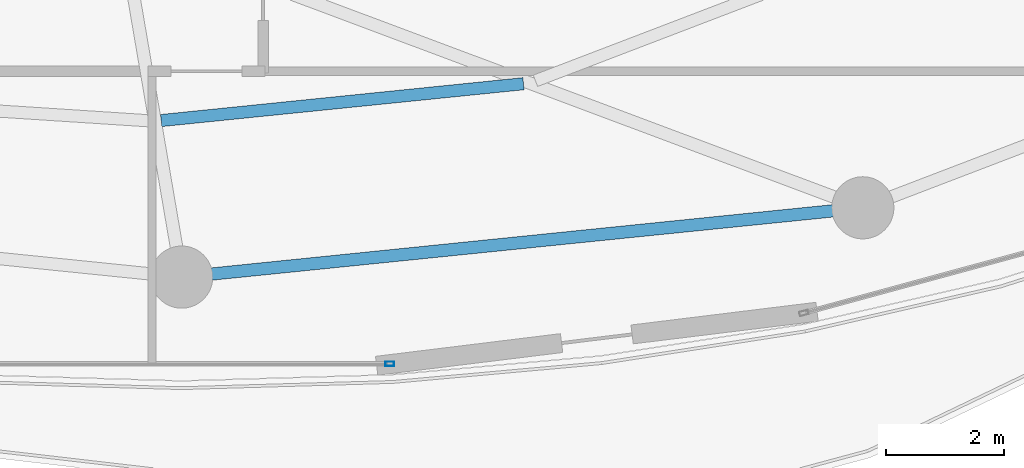
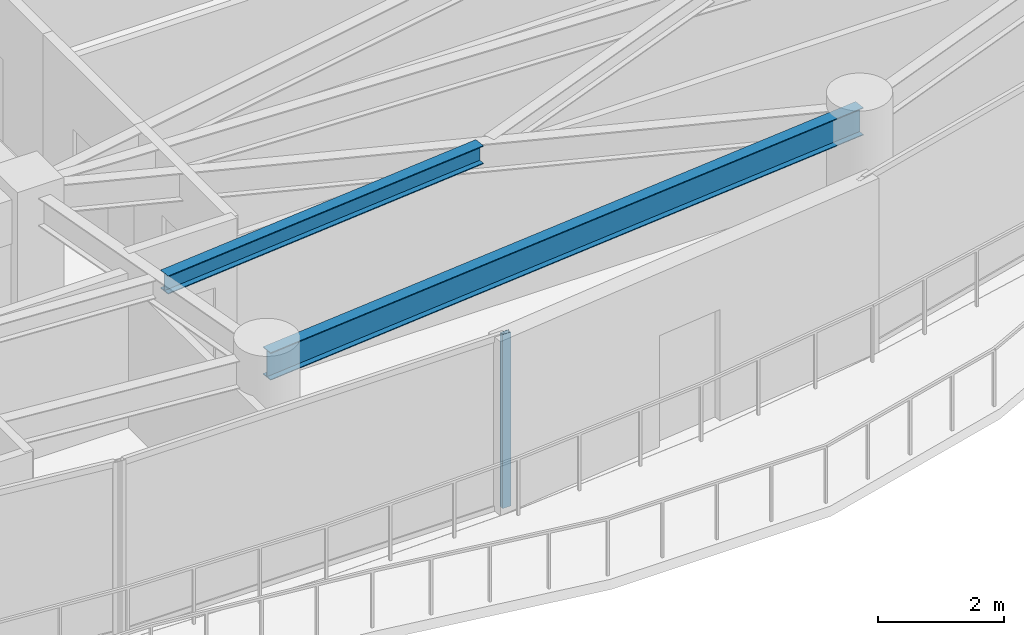
# One storey, part 10 of 31: 2 beams, 1 member, 1 element without a shape of its own.
"""IFC4 building model written with IfcOpenShell, lengths in metres."""

from ifc_helpers import new_model, si_unit, direction, frame, origin, origin_2d, place, context, subcontext, project, spatial, hollow_rectangle, i_section, extrude, material, layer, layer_set, material_profile, profile_set, type_object, element, aggregate, save


model = new_model("IFC4")

# Units and contexts
model_context = context("Model", 3, precision=1e-05, world=origin(), true_north=direction((0.0, 1.0)))
body_context = subcontext(model_context, "Body", "Model", "MODEL_VIEW")
ifc_project = project(units=[si_unit("LENGTHUNIT", "METRE"), si_unit("AREAUNIT", "SQUARE_METRE"), si_unit("VOLUMEUNIT", "CUBIC_METRE"), si_unit("PLANEANGLEUNIT", "RADIAN"), si_unit("MASSUNIT", "GRAM", prefix="KILO")], contexts=[model_context])

# Site, building, storey
site_placement = place(None, origin())
site = spatial("IfcSite", under=ifc_project, at=site_placement, CompositionType="ELEMENT")
building_placement = place(site_placement, origin())
building = spatial("IfcBuilding", under=site, at=building_placement, Name="Kazevale Care Tower and Concert Hall", CompositionType="ELEMENT")
storey_placement = place(building_placement, frame((0.0, 0.0, 235.199951171875)))
storey = spatial("IfcBuildingStorey", under=building, at=storey_placement, Name="L62", CompositionType="ELEMENT", Elevation=235.199951171875)

# Curtain wall, member
ifc_material_1 = material(Name="Aluminium 6063-T6 and Low-E Glass", Category="aluminium")
ifc_layer = layer(ifc_material_1, 0.179931640625)
ifc_layer_set = layer_set([ifc_layer], Name="Aluminium 6063-T6 and Low-E Glass")
curtain_wall_type = type_object("IfcCurtainWallType", Name="Sheltered Concave Balcony Curtain Wall CW-5", PredefinedType="NOTDEFINED", material=ifc_layer_set)
curtain_wall_placement = place(storey_placement, origin())
curtain_wall = element("IfcCurtainWall", 1, at=curtain_wall_placement, inside=storey, type_object=curtain_wall_type, Name="cw:L62:f06", PredefinedType="NOTDEFINED")
ifc_material_2 = material(Name="Aluminium 6063-T6", Category="aluminium")
ifc_material_profile_1 = material_profile(ifc_material_2, hollow_rectangle(XDim=0.074951171875, YDim=0.14990234375, WallThickness=0.00390625, at=origin_2d()), Name="ALU75x150x4")
ifc_profile_set_1 = profile_set([ifc_material_profile_1], Name="Aluminium 6063-T6")
member_type = type_object("IfcMemberType", Name="CW-5 Mullion ALU75x150x4", PredefinedType="MULLION", material=ifc_profile_set_1)
member_placement = place(storey_placement, frame((48.512451171875, 16.284912109375, 0.0), z_axis=(0.0, 0.0, 1.0), x_axis=(0.0, -1.0, 0.0)))
member = element("IfcMember", 2, at=member_placement, type_object=member_type, Name="CW-5 mullion 1", PredefinedType="MULLION", context=body_context, shape_type="SweptSolid", body=[
    extrude(hollow_rectangle(XDim=0.074951171875, YDim=0.14990234375, WallThickness=0.00390625, at=origin_2d()), origin(), (0.0, 0.0, 1.0), 3.360107421875),
])
aggregate(curtain_wall, [member])

# Beams
ifc_material_3 = material(Name="Steel ASTM A572 Gr 50", Category="steel")
ifc_material_profile_2 = material_profile(ifc_material_3, i_section(OverallWidth=0.205078125, OverallDepth=0.35400390625, WebThickness=0.009521484375, FlangeThickness=0.016845703125, at=origin_2d()), Name="W360x79")
ifc_profile_set_2 = profile_set([ifc_material_profile_2], Name="Steel ASTM A572 Gr 50")
beam_type_1 = type_object("IfcBeamType", Name="Secondary Floor Joist W360x79", PredefinedType="JOIST", material=ifc_profile_set_2)
beam_1_placement = place(storey_placement, frame((44.654052734375, 20.39306640625, 3.18310546875), z_axis=(0.994872697807, 0.10113513316, 0.0), x_axis=(-0.10113513316, 0.994872697807, 0.0)))
element("IfcBeam", 3, at=beam_1_placement, inside=storey, type_object=beam_type_1, Name="beam:L62:joist:13", PredefinedType="JOIST", context=body_context, shape_type="SweptSolid", body=[
    extrude(i_section(OverallWidth=0.205078125, OverallDepth=0.35400390625, WebThickness=0.009521484375, FlangeThickness=0.016845703125, at=origin_2d()), origin(), (0.0, 0.0, 1.0), 6.1484375),
])
ifc_material_profile_3 = material_profile(ifc_material_3, i_section(OverallWidth=0.208984375, OverallDepth=0.532958984375, WebThickness=0.01025390625, FlangeThickness=0.015625, at=origin_2d()), Name="W530x92")
ifc_profile_set_3 = profile_set([ifc_material_profile_3], Name="Steel ASTM A572 Gr 50")
beam_type_2 = type_object("IfcBeamType", Name="Upper Ring Beam W530x92", PredefinedType="BEAM", material=ifc_profile_set_3)
beam_2_placement = place(storey_placement, frame((45.0, 17.75, 3.093505859375), z_axis=(0.994865089307, 0.101209950492, 0.0), x_axis=(-0.101209950492, 0.994865089307, 0.0)))
element("IfcBeam", 4, at=beam_2_placement, inside=storey, type_object=beam_type_2, Name="beam:L62:ring:13", PredefinedType="BEAM", context=body_context, shape_type="SweptSolid", body=[
    extrude(i_section(OverallWidth=0.208984375, OverallDepth=0.532958984375, WebThickness=0.01025390625, FlangeThickness=0.015625, at=origin_2d()), origin(), (0.0, 0.0, 1.0), 11.559326171875),
])

save(model, "model.ifc")
